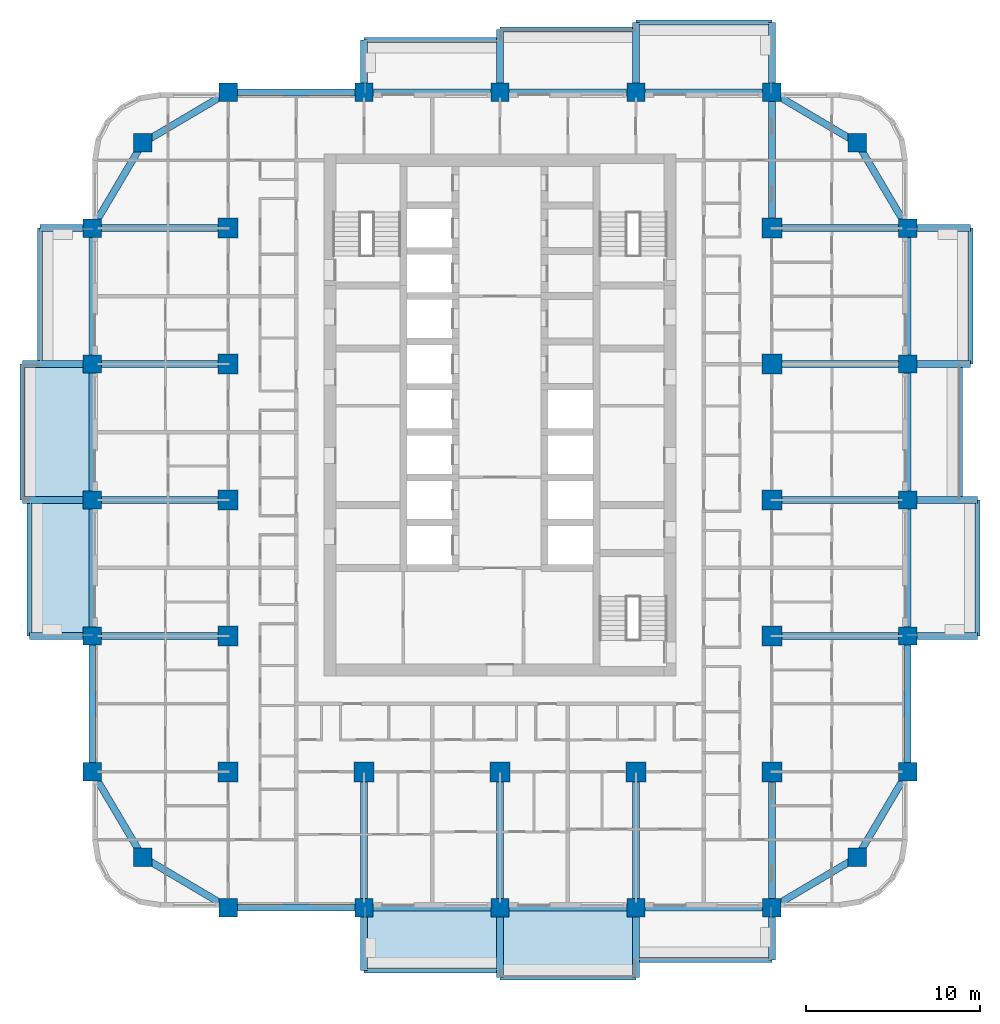
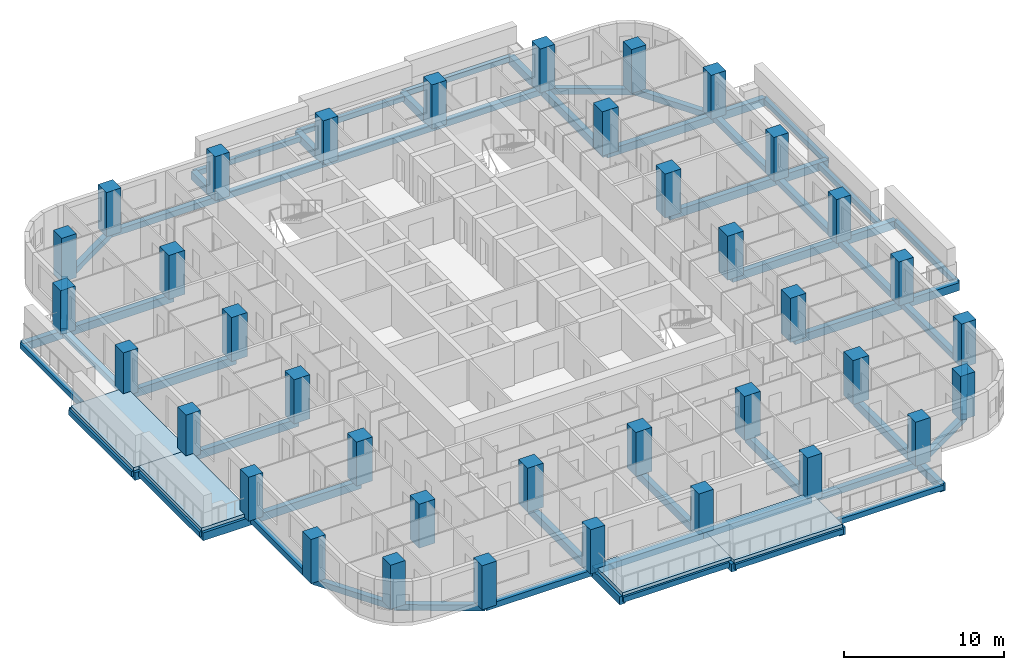
# One storey, part 1 of 17: 65 beams, 37 columns, 4 slabs.
"""IFC4 building model written with IfcOpenShell, lengths in metres."""

from ifc_helpers import new_model, si_unit, direction, frame, origin, origin_2d, place, context, subcontext, project, spatial, polyline, rectangle, outline, extrude, material, layer, layer_set, material_profile, profile_set, type_object, element, save


model = new_model("IFC4")

# Units and contexts
model_context = context("Model", 3, precision=1e-05, world=origin(), true_north=direction((0.0, 1.0)))
body_context = subcontext(model_context, "Body", "Model", "MODEL_VIEW")
ifc_project = project(units=[si_unit("LENGTHUNIT", "METRE"), si_unit("AREAUNIT", "SQUARE_METRE"), si_unit("VOLUMEUNIT", "CUBIC_METRE"), si_unit("PLANEANGLEUNIT", "RADIAN"), si_unit("MASSUNIT", "GRAM", prefix="KILO")], contexts=[model_context])

# Site, building, storey
site_placement = place(None, origin())
site = spatial("IfcSite", under=ifc_project, at=site_placement, CompositionType="ELEMENT")
building_placement = place(site_placement, origin())
building = spatial("IfcBuilding", under=site, at=building_placement, Name="Ludao Terraces", CompositionType="ELEMENT")
storey_placement = place(building_placement, frame((0.0, 0.0, 43.300048828125)))
storey = spatial("IfcBuildingStorey", under=building, at=storey_placement, Name="L11", CompositionType="ELEMENT", Elevation=43.300048828125)

# Columns
ifc_material_1 = material(Name="Concrete C60", Category="concrete")
ifc_material_profile_1 = material_profile(ifc_material_1, rectangle(XDim=1.050048828125, YDim=1.050048828125, at=origin_2d()), Name="1050 X 1050")
ifc_profile_set_1 = profile_set([ifc_material_profile_1], Name="Concrete C60")
column_type_1 = type_object("IfcColumnType", Name="RC column 1050x1050 C60", PredefinedType="COLUMN", material=ifc_profile_set_1)
for number, where, z_axis, x_axis, name in (
    (1, (64.5, 44.5, -0.25), (0.0, 0.0, 1.0), (1.0, 0.0, 0.0), "Column L11 C0029x0029"),
    (2, (105.5, 44.5, -0.25), (0.0, 0.0, 1.0), (1.0, 0.0, 0.0), "Column L11 C0439x0029"),
    (3, (64.5, 85.5, -0.25), (0.0, 0.0, 1.0), (1.0, 0.0, 0.0), "Column L11 C0029x0439"),
    (4, (105.5, 85.5, -0.25), (0.0, 0.0, 1.0), (1.0, 0.0, 0.0), "Column L11 C0439x0439"),
    (5, (61.60009765625, 49.39990234375, -0.25), (0.0, 0.0, 1.0), (1.0, 0.0, 0.0), "Column L11 F0000x0078"),
    (6, (108.39990234375, 49.39990234375, -0.25), (0.0, 0.0, 1.0), (1.0, 0.0, 0.0), "Column L11 F0468x0078"),
    (7, (69.39990234375, 41.60009765625, -0.25), (0.0, 0.0, 1.0), (1.0, 0.0, 0.0), "Column L11 F0078x0000"),
    (8, (69.39990234375, 88.39990234375, -0.25), (0.0, 0.0, 1.0), (1.0, 0.0, 0.0), "Column L11 F0078x0468"),
    (9, (61.60009765625, 57.199951171875, -0.25), (0.0, 0.0, 1.0), (1.0, 0.0, 0.0), "Column L11 F0000x0156"),
    (10, (108.39990234375, 57.199951171875, -0.25), (0.0, 0.0, 1.0), (1.0, 0.0, 0.0), "Column L11 F0468x0156"),
    (11, (77.199951171875, 41.60009765625, -0.25), (0.0, 0.0, 1.0), (1.0, 0.0, 0.0), "Column L11 F0156x0000"),
    (12, (77.199951171875, 88.39990234375, -0.25), (0.0, 0.0, 1.0), (1.0, 0.0, 0.0), "Column L11 F0156x0468"),
    (13, (61.60009765625, 65.0, -0.25), (0.0, 0.0, 1.0), (1.0, 0.0, 0.0), "Column L11 F0000x0234"),
    (14, (108.39990234375, 65.0, -0.25), (0.0, 0.0, 1.0), (1.0, 0.0, 0.0), "Column L11 F0468x0234"),
    (15, (85.0, 41.60009765625, -0.25), (0.0, 0.0, 1.0), (1.0, 0.0, 0.0), "Column L11 F0234x0000"),
    (16, (85.0, 88.39990234375, -0.25), (0.0, 0.0, 1.0), (1.0, 0.0, 0.0), "Column L11 F0234x0468"),
    (17, (61.60009765625, 72.800048828125, -0.25), (0.0, 0.0, 1.0), (1.0, 0.0, 0.0), "Column L11 F0000x0312"),
    (18, (108.39990234375, 72.800048828125, -0.25), (0.0, 0.0, 1.0), (1.0, 0.0, 0.0), "Column L11 F0468x0312"),
    (19, (92.800048828125, 41.60009765625, -0.25), (0.0, 0.0, 1.0), (1.0, 0.0, 0.0), "Column L11 F0312x0000"),
    (20, (92.800048828125, 88.39990234375, -0.25), (0.0, 0.0, 1.0), (1.0, 0.0, 0.0), "Column L11 F0312x0468"),
    (21, (61.60009765625, 80.60009765625, -0.25), (0.0, 0.0, 1.0), (1.0, 0.0, 0.0), "Column L11 F0000x0390"),
    (22, (108.39990234375, 80.60009765625, -0.25), (0.0, 0.0, 1.0), (1.0, 0.0, 0.0), "Column L11 F0468x0390"),
    (23, (100.60009765625, 41.60009765625, -0.25), (0.0, 0.0, 1.0), (1.0, 0.0, 0.0), "Column L11 F0390x0000"),
    (24, (100.60009765625, 88.39990234375, -0.25), (0.0, 0.0, 1.0), (1.0, 0.0, 0.0), "Column L11 F0390x0468"),
):
    element("IfcColumn", number, at=place(storey_placement, frame(where, z_axis=z_axis, x_axis=x_axis)), inside=storey, type_object=column_type_1, Name=name, PredefinedType="COLUMN", context=body_context, shape_type="SweptSolid", body=[
        extrude(rectangle(XDim=1.050048828125, YDim=1.050048828125, at=origin_2d()), origin(), (0.0, 0.0, 1.0), 3.349853515625),
    ])
ifc_material_profile_2 = material_profile(ifc_material_1, rectangle(XDim=1.14990234375, YDim=1.14990234375, at=origin_2d()), Name="1150 X 1150")
ifc_profile_set_2 = profile_set([ifc_material_profile_2], Name="Concrete C60")
column_type_2 = type_object("IfcColumnType", Name="RC column 1150x1150 C60", PredefinedType="COLUMN", material=ifc_profile_set_2)
for number, where, z_axis, x_axis, name in (
    (25, (69.39990234375, 49.39990234375, -0.25), (0.0, 0.0, 1.0), (1.0, 0.0, 0.0), "Column L11 S0078x0078"),
    (26, (69.39990234375, 57.199951171875, -0.25), (0.0, 0.0, 1.0), (1.0, 0.0, 0.0), "Column L11 S0078x0156"),
    (27, (69.39990234375, 65.0, -0.25), (0.0, 0.0, 1.0), (1.0, 0.0, 0.0), "Column L11 S0078x0234"),
    (28, (69.39990234375, 72.800048828125, -0.25), (0.0, 0.0, 1.0), (1.0, 0.0, 0.0), "Column L11 S0078x0312"),
    (29, (69.39990234375, 80.60009765625, -0.25), (0.0, 0.0, 1.0), (1.0, 0.0, 0.0), "Column L11 S0078x0390"),
    (30, (77.199951171875, 49.39990234375, -0.25), (0.0, 0.0, 1.0), (1.0, 0.0, 0.0), "Column L11 S0156x0078"),
    (31, (85.0, 49.39990234375, -0.25), (0.0, 0.0, 1.0), (1.0, 0.0, 0.0), "Column L11 S0234x0078"),
    (32, (92.800048828125, 49.39990234375, -0.25), (0.0, 0.0, 1.0), (1.0, 0.0, 0.0), "Column L11 S0312x0078"),
    (33, (100.60009765625, 49.39990234375, -0.25), (0.0, 0.0, 1.0), (1.0, 0.0, 0.0), "Column L11 S0390x0078"),
    (34, (100.60009765625, 57.199951171875, -0.25), (0.0, 0.0, 1.0), (1.0, 0.0, 0.0), "Column L11 S0390x0156"),
    (35, (100.60009765625, 65.0, -0.25), (0.0, 0.0, 1.0), (1.0, 0.0, 0.0), "Column L11 S0390x0234"),
    (36, (100.60009765625, 72.800048828125, -0.25), (0.0, 0.0, 1.0), (1.0, 0.0, 0.0), "Column L11 S0390x0312"),
    (37, (100.60009765625, 80.60009765625, -0.25), (0.0, 0.0, 1.0), (1.0, 0.0, 0.0), "Column L11 S0390x0390"),
):
    element("IfcColumn", number, at=place(storey_placement, frame(where, z_axis=z_axis, x_axis=x_axis)), inside=storey, type_object=column_type_2, Name=name, PredefinedType="COLUMN", context=body_context, shape_type="SweptSolid", body=[
        extrude(rectangle(XDim=1.14990234375, YDim=1.14990234375, at=origin_2d()), origin(), (0.0, 0.0, 1.0), 3.349853515625),
    ])

# Beams
ifc_material_2 = material(Name="Concrete C40", Category="concrete")
ifc_material_profile_3 = material_profile(ifc_material_2, rectangle(XDim=0.300048828125, YDim=0.39990234375, at=origin_2d()), Name="300 X 400")
ifc_profile_set_3 = profile_set([ifc_material_profile_3], Name="Concrete C40")
beam_type_1 = type_object("IfcBeamType", Name="RC beam 300x400 C40", PredefinedType="BEAM", material=ifc_profile_set_3)
for number, where, z_axis, x_axis, name in (
    (38, (77.199951171875, 38.0, -0.449951171875), (1.0, 0.0, 0.0), (0.0, 1.0, 0.0), "Balcony edge beam L11 S2"),
    (39, (85.0, 37.60009765625, -0.449951171875), (1.0, 0.0, 0.0), (0.0, 1.0, 0.0), "Balcony edge beam L11 S3"),
    (40, (92.800048828125, 38.60009765625, -0.449951171875), (1.0, 0.0, 0.0), (0.0, 1.0, 0.0), "Balcony edge beam L11 S4"),
    (41, (112.39990234375, 57.199951171875, -0.449951171875), (0.0, 1.0, 0.0), (-1.0, 0.0, 0.0), "Balcony edge beam L11 E2"),
    (42, (111.39990234375, 65.0, -0.449951171875), (0.0, 1.0, 0.0), (-1.0, 0.0, 0.0), "Balcony edge beam L11 E3"),
    (43, (112.0, 72.800048828125, -0.449951171875), (0.0, 1.0, 0.0), (-1.0, 0.0, 0.0), "Balcony edge beam L11 E4"),
    (44, (77.199951171875, 91.39990234375, -0.449951171875), (1.0, 0.0, 0.0), (0.0, 1.0, 0.0), "Balcony edge beam L11 N2"),
    (45, (85.0, 92.0, -0.449951171875), (1.0, 0.0, 0.0), (0.0, 1.0, 0.0), "Balcony edge beam L11 N3"),
    (46, (92.800048828125, 92.39990234375, -0.449951171875), (1.0, 0.0, 0.0), (0.0, 1.0, 0.0), "Balcony edge beam L11 N4"),
    (47, (58.0, 57.199951171875, -0.449951171875), (0.0, 1.0, 0.0), (-1.0, 0.0, 0.0), "Balcony edge beam L11 W2"),
    (48, (57.60009765625, 65.0, -0.449951171875), (0.0, 1.0, 0.0), (-1.0, 0.0, 0.0), "Balcony edge beam L11 W3"),
    (49, (58.60009765625, 72.800048828125, -0.449951171875), (0.0, 1.0, 0.0), (-1.0, 0.0, 0.0), "Balcony edge beam L11 W4"),
):
    element("IfcBeam", number, at=place(storey_placement, frame(where, z_axis=z_axis, x_axis=x_axis)), inside=storey, type_object=beam_type_1, Name=name, PredefinedType="BEAM", context=body_context, shape_type="SweptSolid", body=[
        extrude(rectangle(XDim=0.300048828125, YDim=0.39990234375, at=origin_2d()), origin(), (0.0, 0.0, 1.0), 7.800048828125),
    ])
ifc_material_profile_4 = material_profile(ifc_material_2, rectangle(XDim=0.39990234375, YDim=0.449951171875, at=origin_2d()), Name="400 X 450")
ifc_profile_set_4 = profile_set([ifc_material_profile_4], Name="Concrete C40")
beam_type_2 = type_object("IfcBeamType", Name="RC beam 400x450 C40", PredefinedType="BEAM", material=ifc_profile_set_4)
beam_1_placement = place(storey_placement, frame((64.5, 44.5, -0.47509765625), z_axis=(0.860579751256, -0.509315709288, 0.0), x_axis=(0.509315709288, 0.860579751256, 0.0)))
element("IfcBeam", 50, at=beam_1_placement, inside=storey, type_object=beam_type_2, Name="Spandrel beam L11 S1", PredefinedType="BEAM", context=body_context, shape_type="SweptSolid", body=[
    extrude(rectangle(XDim=0.39990234375, YDim=0.449951171875, at=origin_2d()), origin(), (0.0, 0.0, 1.0), 5.693603515625),
])
for number, where, z_axis, x_axis, name in (
    (51, (69.39990234375, 41.60009765625, -0.47509765625), (1.0, 0.0, 0.0), (0.0, 1.0, 0.0), "Spandrel beam L11 S2"),
    (52, (77.199951171875, 41.60009765625, -0.47509765625), (1.0, 0.0, 0.0), (0.0, 1.0, 0.0), "Spandrel beam L11 S3"),
    (53, (85.0, 41.60009765625, -0.47509765625), (1.0, 0.0, 0.0), (0.0, 1.0, 0.0), "Spandrel beam L11 S4"),
    (54, (92.800048828125, 41.60009765625, -0.47509765625), (1.0, 0.0, 0.0), (0.0, 1.0, 0.0), "Spandrel beam L11 S5"),
):
    element("IfcBeam", number, at=place(storey_placement, frame(where, z_axis=z_axis, x_axis=x_axis)), inside=storey, type_object=beam_type_2, Name=name, PredefinedType="BEAM", context=body_context, shape_type="SweptSolid", body=[
        extrude(rectangle(XDim=0.39990234375, YDim=0.449951171875, at=origin_2d()), origin(), (0.0, 0.0, 1.0), 7.800048828125),
    ])
for number, where, z_axis, x_axis, name in (
    (55, (100.60009765625, 41.60009765625, -0.47509765625), (0.860579751256, 0.509315709288, 0.0), (-0.509315709288, 0.860579751256, 0.0), "Spandrel beam L11 S6"),
    (56, (64.5, 85.5, -0.47509765625), (0.860579751256, 0.509315709288, 0.0), (-0.509315709288, 0.860579751256, 0.0), "Spandrel beam L11 N7"),
):
    element("IfcBeam", number, at=place(storey_placement, frame(where, z_axis=z_axis, x_axis=x_axis)), inside=storey, type_object=beam_type_2, Name=name, PredefinedType="BEAM", context=body_context, shape_type="SweptSolid", body=[
        extrude(rectangle(XDim=0.39990234375, YDim=0.449951171875, at=origin_2d()), origin(), (0.0, 0.0, 1.0), 5.693603515625),
    ])
for number, where, z_axis, x_axis, name in (
    (57, (69.39990234375, 88.39990234375, -0.47509765625), (1.0, 0.0, 0.0), (0.0, 1.0, 0.0), "Spandrel beam L11 N8"),
    (58, (77.199951171875, 88.39990234375, -0.47509765625), (1.0, 0.0, 0.0), (0.0, 1.0, 0.0), "Spandrel beam L11 N9"),
    (59, (85.0, 88.39990234375, -0.47509765625), (1.0, 0.0, 0.0), (0.0, 1.0, 0.0), "Spandrel beam L11 N10"),
    (60, (92.800048828125, 88.39990234375, -0.47509765625), (1.0, 0.0, 0.0), (0.0, 1.0, 0.0), "Spandrel beam L11 N11"),
):
    element("IfcBeam", number, at=place(storey_placement, frame(where, z_axis=z_axis, x_axis=x_axis)), inside=storey, type_object=beam_type_2, Name=name, PredefinedType="BEAM", context=body_context, shape_type="SweptSolid", body=[
        extrude(rectangle(XDim=0.39990234375, YDim=0.449951171875, at=origin_2d()), origin(), (0.0, 0.0, 1.0), 7.800048828125),
    ])
for number, where, z_axis, x_axis, name in (
    (61, (100.60009765625, 88.39990234375, -0.47509765625), (0.860579751256, -0.509315709288, 0.0), (0.509315709288, 0.860579751256, 0.0), "Spandrel beam L11 N12"),
    (62, (64.5, 44.5, -0.47509765625), (-0.509315709288, 0.860579751256, 0.0), (-0.860579751256, -0.509315709288, 0.0), "Spandrel beam L11 W13"),
):
    element("IfcBeam", number, at=place(storey_placement, frame(where, z_axis=z_axis, x_axis=x_axis)), inside=storey, type_object=beam_type_2, Name=name, PredefinedType="BEAM", context=body_context, shape_type="SweptSolid", body=[
        extrude(rectangle(XDim=0.39990234375, YDim=0.449951171875, at=origin_2d()), origin(), (0.0, 0.0, 1.0), 5.693603515625),
    ])
for number, where, z_axis, x_axis, name in (
    (63, (61.60009765625, 49.39990234375, -0.47509765625), (0.0, 1.0, 0.0), (-1.0, 0.0, 0.0), "Spandrel beam L11 W14"),
    (64, (61.60009765625, 57.199951171875, -0.47509765625), (0.0, 1.0, 0.0), (-1.0, 0.0, 0.0), "Spandrel beam L11 W15"),
    (65, (61.60009765625, 65.0, -0.47509765625), (0.0, 1.0, 0.0), (-1.0, 0.0, 0.0), "Spandrel beam L11 W16"),
    (66, (61.60009765625, 72.800048828125, -0.47509765625), (0.0, 1.0, 0.0), (-1.0, 0.0, 0.0), "Spandrel beam L11 W17"),
):
    element("IfcBeam", number, at=place(storey_placement, frame(where, z_axis=z_axis, x_axis=x_axis)), inside=storey, type_object=beam_type_2, Name=name, PredefinedType="BEAM", context=body_context, shape_type="SweptSolid", body=[
        extrude(rectangle(XDim=0.39990234375, YDim=0.449951171875, at=origin_2d()), origin(), (0.0, 0.0, 1.0), 7.800048828125),
    ])
for number, where, z_axis, x_axis, name in (
    (67, (61.60009765625, 80.60009765625, -0.47509765625), (0.509315709288, 0.860579751256, 0.0), (-0.860579751256, 0.509315709288, 0.0), "Spandrel beam L11 W18"),
    (68, (105.5, 44.5, -0.47509765625), (0.509315709288, 0.860579751256, 0.0), (-0.860579751256, 0.509315709288, 0.0), "Spandrel beam L11 E19"),
):
    element("IfcBeam", number, at=place(storey_placement, frame(where, z_axis=z_axis, x_axis=x_axis)), inside=storey, type_object=beam_type_2, Name=name, PredefinedType="BEAM", context=body_context, shape_type="SweptSolid", body=[
        extrude(rectangle(XDim=0.39990234375, YDim=0.449951171875, at=origin_2d()), origin(), (0.0, 0.0, 1.0), 5.693603515625),
    ])
for number, where, z_axis, x_axis, name in (
    (69, (108.39990234375, 49.39990234375, -0.47509765625), (0.0, 1.0, 0.0), (-1.0, 0.0, 0.0), "Spandrel beam L11 E20"),
    (70, (108.39990234375, 57.199951171875, -0.47509765625), (0.0, 1.0, 0.0), (-1.0, 0.0, 0.0), "Spandrel beam L11 E21"),
    (71, (108.39990234375, 65.0, -0.47509765625), (0.0, 1.0, 0.0), (-1.0, 0.0, 0.0), "Spandrel beam L11 E22"),
    (72, (108.39990234375, 72.800048828125, -0.47509765625), (0.0, 1.0, 0.0), (-1.0, 0.0, 0.0), "Spandrel beam L11 E23"),
):
    element("IfcBeam", number, at=place(storey_placement, frame(where, z_axis=z_axis, x_axis=x_axis)), inside=storey, type_object=beam_type_2, Name=name, PredefinedType="BEAM", context=body_context, shape_type="SweptSolid", body=[
        extrude(rectangle(XDim=0.39990234375, YDim=0.449951171875, at=origin_2d()), origin(), (0.0, 0.0, 1.0), 7.800048828125),
    ])
beam_2_placement = place(storey_placement, frame((108.39990234375, 80.60009765625, -0.47509765625), z_axis=(-0.509315709288, 0.860579751256, 0.0), x_axis=(-0.860579751256, -0.509315709288, 0.0)))
element("IfcBeam", 73, at=beam_2_placement, inside=storey, type_object=beam_type_2, Name="Spandrel beam L11 E24", PredefinedType="BEAM", context=body_context, shape_type="SweptSolid", body=[
    extrude(rectangle(XDim=0.39990234375, YDim=0.449951171875, at=origin_2d()), origin(), (0.0, 0.0, 1.0), 5.693603515625),
])
ifc_material_profile_5 = material_profile(ifc_material_2, rectangle(XDim=0.39990234375, YDim=0.60009765625, at=origin_2d()), Name="400 X 600")
ifc_profile_set_5 = profile_set([ifc_material_profile_5], Name="Concrete C40")
beam_type_3 = type_object("IfcBeamType", Name="RC beam 400x600 C40", PredefinedType="BEAM", material=ifc_profile_set_5)
beam_3_placement = place(storey_placement, frame((100.60009765625, 57.199951171875, -0.550048828125), z_axis=(1.0, 0.0, 0.0), x_axis=(0.0, 1.0, 0.0)))
element("IfcBeam", 74, at=beam_3_placement, inside=storey, type_object=beam_type_3, Name="Balcony beam L11 E572", PredefinedType="BEAM", context=body_context, shape_type="SweptSolid", body=[
    extrude(rectangle(XDim=0.39990234375, YDim=0.60009765625, at=origin_2d()), origin(), (0.0, 0.0, 1.0), 7.7998046875),
])
beam_4_placement = place(storey_placement, frame((108.39990234375, 57.199951171875, -0.550048828125), z_axis=(1.0, 0.0, 0.0), x_axis=(0.0, 1.0, 0.0)))
element("IfcBeam", 75, at=beam_4_placement, inside=storey, type_object=beam_type_3, Name="Balcony beam L11 E572", PredefinedType="BEAM", context=body_context, shape_type="SweptSolid", body=[
    extrude(rectangle(XDim=0.39990234375, YDim=0.60009765625, at=origin_2d()), origin(), (0.0, 0.0, 1.0), 4.0),
])
beam_5_placement = place(storey_placement, frame((100.60009765625, 65.0, -0.550048828125), z_axis=(1.0, 0.0, 0.0), x_axis=(0.0, 1.0, 0.0)))
element("IfcBeam", 76, at=beam_5_placement, inside=storey, type_object=beam_type_3, Name="Balcony beam L11 E650", PredefinedType="BEAM", context=body_context, shape_type="SweptSolid", body=[
    extrude(rectangle(XDim=0.39990234375, YDim=0.60009765625, at=origin_2d()), origin(), (0.0, 0.0, 1.0), 7.7998046875),
])
beam_6_placement = place(storey_placement, frame((108.39990234375, 65.0, -0.550048828125), z_axis=(1.0, 0.0, 0.0), x_axis=(0.0, 1.0, 0.0)))
element("IfcBeam", 77, at=beam_6_placement, inside=storey, type_object=beam_type_3, Name="Balcony beam L11 E650", PredefinedType="BEAM", context=body_context, shape_type="SweptSolid", body=[
    extrude(rectangle(XDim=0.39990234375, YDim=0.60009765625, at=origin_2d()), origin(), (0.0, 0.0, 1.0), 4.0),
])
beam_7_placement = place(storey_placement, frame((100.60009765625, 72.800048828125, -0.550048828125), z_axis=(1.0, 0.0, 0.0), x_axis=(0.0, 1.0, 0.0)))
element("IfcBeam", 78, at=beam_7_placement, inside=storey, type_object=beam_type_3, Name="Balcony beam L11 E728", PredefinedType="BEAM", context=body_context, shape_type="SweptSolid", body=[
    extrude(rectangle(XDim=0.39990234375, YDim=0.60009765625, at=origin_2d()), origin(), (0.0, 0.0, 1.0), 7.7998046875),
])
beam_8_placement = place(storey_placement, frame((108.39990234375, 72.800048828125, -0.550048828125), z_axis=(1.0, 0.0, 0.0), x_axis=(0.0, 1.0, 0.0)))
element("IfcBeam", 79, at=beam_8_placement, inside=storey, type_object=beam_type_3, Name="Balcony beam L11 E728", PredefinedType="BEAM", context=body_context, shape_type="SweptSolid", body=[
    extrude(rectangle(XDim=0.39990234375, YDim=0.60009765625, at=origin_2d()), origin(), (0.0, 0.0, 1.0), 3.60009765625),
])
beam_9_placement = place(storey_placement, frame((100.60009765625, 80.60009765625, -0.550048828125), z_axis=(1.0, 0.0, 0.0), x_axis=(0.0, 1.0, 0.0)))
element("IfcBeam", 80, at=beam_9_placement, inside=storey, type_object=beam_type_3, Name="Balcony beam L11 E806", PredefinedType="BEAM", context=body_context, shape_type="SweptSolid", body=[
    extrude(rectangle(XDim=0.39990234375, YDim=0.60009765625, at=origin_2d()), origin(), (0.0, 0.0, 1.0), 7.7998046875),
])
beam_10_placement = place(storey_placement, frame((108.39990234375, 80.60009765625, -0.550048828125), z_axis=(1.0, 0.0, 0.0), x_axis=(0.0, 1.0, 0.0)))
element("IfcBeam", 81, at=beam_10_placement, inside=storey, type_object=beam_type_3, Name="Balcony beam L11 E806", PredefinedType="BEAM", context=body_context, shape_type="SweptSolid", body=[
    extrude(rectangle(XDim=0.39990234375, YDim=0.60009765625, at=origin_2d()), origin(), (0.0, 0.0, 1.0), 3.60009765625),
])
beam_11_placement = place(storey_placement, frame((100.60009765625, 80.60009765625, -0.550048828125), z_axis=(0.0, 1.0, 0.0), x_axis=(-1.0, 0.0, 0.0)))
element("IfcBeam", 82, at=beam_11_placement, inside=storey, type_object=beam_type_3, Name="Balcony beam L11 N1006", PredefinedType="BEAM", context=body_context, shape_type="SweptSolid", body=[
    extrude(rectangle(XDim=0.39990234375, YDim=0.60009765625, at=origin_2d()), origin(), (0.0, 0.0, 1.0), 7.7998046875),
])
beam_12_placement = place(storey_placement, frame((100.60009765625, 88.39990234375, -0.550048828125), z_axis=(0.0, 1.0, 0.0), x_axis=(-1.0, 0.0, 0.0)))
element("IfcBeam", 83, at=beam_12_placement, inside=storey, type_object=beam_type_3, Name="Balcony beam L11 N1006", PredefinedType="BEAM", context=body_context, shape_type="SweptSolid", body=[
    extrude(rectangle(XDim=0.39990234375, YDim=0.60009765625, at=origin_2d()), origin(), (0.0, 0.0, 1.0), 4.0),
])
beam_13_placement = place(storey_placement, frame((77.199951171875, 88.39990234375, -0.550048828125), z_axis=(0.0, 1.0, 0.0), x_axis=(-1.0, 0.0, 0.0)))
element("IfcBeam", 84, at=beam_13_placement, inside=storey, type_object=beam_type_3, Name="Balcony beam L11 N772", PredefinedType="BEAM", context=body_context, shape_type="SweptSolid", body=[
    extrude(rectangle(XDim=0.39990234375, YDim=0.60009765625, at=origin_2d()), origin(), (0.0, 0.0, 1.0), 3.0),
])
beam_14_placement = place(storey_placement, frame((85.0, 88.39990234375, -0.550048828125), z_axis=(0.0, 1.0, 0.0), x_axis=(-1.0, 0.0, 0.0)))
element("IfcBeam", 85, at=beam_14_placement, inside=storey, type_object=beam_type_3, Name="Balcony beam L11 N850", PredefinedType="BEAM", context=body_context, shape_type="SweptSolid", body=[
    extrude(rectangle(XDim=0.39990234375, YDim=0.60009765625, at=origin_2d()), origin(), (0.0, 0.0, 1.0), 3.60009765625),
])
beam_15_placement = place(storey_placement, frame((92.800048828125, 88.39990234375, -0.550048828125), z_axis=(0.0, 1.0, 0.0), x_axis=(-1.0, 0.0, 0.0)))
element("IfcBeam", 86, at=beam_15_placement, inside=storey, type_object=beam_type_3, Name="Balcony beam L11 N928", PredefinedType="BEAM", context=body_context, shape_type="SweptSolid", body=[
    extrude(rectangle(XDim=0.39990234375, YDim=0.60009765625, at=origin_2d()), origin(), (0.0, 0.0, 1.0), 4.0),
])
beam_16_placement = place(storey_placement, frame((100.60009765625, 49.39990234375, -0.550048828125), z_axis=(0.0, -1.0, 0.0), x_axis=(1.0, 0.0, 0.0)))
element("IfcBeam", 87, at=beam_16_placement, inside=storey, type_object=beam_type_3, Name="Balcony beam L11 S1006", PredefinedType="BEAM", context=body_context, shape_type="SweptSolid", body=[
    extrude(rectangle(XDim=0.39990234375, YDim=0.60009765625, at=origin_2d()), origin(), (0.0, 0.0, 1.0), 7.7998046875),
])
beam_17_placement = place(storey_placement, frame((100.60009765625, 41.60009765625, -0.550048828125), z_axis=(0.0, -1.0, 0.0), x_axis=(1.0, 0.0, 0.0)))
element("IfcBeam", 88, at=beam_17_placement, inside=storey, type_object=beam_type_3, Name="Balcony beam L11 S1006", PredefinedType="BEAM", context=body_context, shape_type="SweptSolid", body=[
    extrude(rectangle(XDim=0.39990234375, YDim=0.60009765625, at=origin_2d()), origin(), (0.0, 0.0, 1.0), 3.0),
])
beam_18_placement = place(storey_placement, frame((77.199951171875, 49.39990234375, -0.550048828125), z_axis=(0.0, -1.0, 0.0), x_axis=(1.0, 0.0, 0.0)))
element("IfcBeam", 89, at=beam_18_placement, inside=storey, type_object=beam_type_3, Name="Balcony beam L11 S772", PredefinedType="BEAM", context=body_context, shape_type="SweptSolid", body=[
    extrude(rectangle(XDim=0.39990234375, YDim=0.60009765625, at=origin_2d()), origin(), (0.0, 0.0, 1.0), 7.7998046875),
])
beam_19_placement = place(storey_placement, frame((77.199951171875, 41.60009765625, -0.550048828125), z_axis=(0.0, -1.0, 0.0), x_axis=(1.0, 0.0, 0.0)))
element("IfcBeam", 90, at=beam_19_placement, inside=storey, type_object=beam_type_3, Name="Balcony beam L11 S772", PredefinedType="BEAM", context=body_context, shape_type="SweptSolid", body=[
    extrude(rectangle(XDim=0.39990234375, YDim=0.60009765625, at=origin_2d()), origin(), (0.0, 0.0, 1.0), 3.60009765625),
])
beam_20_placement = place(storey_placement, frame((85.0, 49.39990234375, -0.550048828125), z_axis=(0.0, -1.0, 0.0), x_axis=(1.0, 0.0, 0.0)))
element("IfcBeam", 91, at=beam_20_placement, inside=storey, type_object=beam_type_3, Name="Balcony beam L11 S850", PredefinedType="BEAM", context=body_context, shape_type="SweptSolid", body=[
    extrude(rectangle(XDim=0.39990234375, YDim=0.60009765625, at=origin_2d()), origin(), (0.0, 0.0, 1.0), 7.7998046875),
])
beam_21_placement = place(storey_placement, frame((85.0, 41.60009765625, -0.550048828125), z_axis=(0.0, -1.0, 0.0), x_axis=(1.0, 0.0, 0.0)))
element("IfcBeam", 92, at=beam_21_placement, inside=storey, type_object=beam_type_3, Name="Balcony beam L11 S850", PredefinedType="BEAM", context=body_context, shape_type="SweptSolid", body=[
    extrude(rectangle(XDim=0.39990234375, YDim=0.60009765625, at=origin_2d()), origin(), (0.0, 0.0, 1.0), 4.0),
])
beam_22_placement = place(storey_placement, frame((92.800048828125, 49.39990234375, -0.550048828125), z_axis=(0.0, -1.0, 0.0), x_axis=(1.0, 0.0, 0.0)))
element("IfcBeam", 93, at=beam_22_placement, inside=storey, type_object=beam_type_3, Name="Balcony beam L11 S928", PredefinedType="BEAM", context=body_context, shape_type="SweptSolid", body=[
    extrude(rectangle(XDim=0.39990234375, YDim=0.60009765625, at=origin_2d()), origin(), (0.0, 0.0, 1.0), 7.7998046875),
])
beam_23_placement = place(storey_placement, frame((92.800048828125, 41.60009765625, -0.550048828125), z_axis=(0.0, -1.0, 0.0), x_axis=(1.0, 0.0, 0.0)))
element("IfcBeam", 94, at=beam_23_placement, inside=storey, type_object=beam_type_3, Name="Balcony beam L11 S928", PredefinedType="BEAM", context=body_context, shape_type="SweptSolid", body=[
    extrude(rectangle(XDim=0.39990234375, YDim=0.60009765625, at=origin_2d()), origin(), (0.0, 0.0, 1.0), 4.0),
])
beam_24_placement = place(storey_placement, frame((69.39990234375, 57.199951171875, -0.550048828125), z_axis=(-1.0, 0.0, 0.0), x_axis=(0.0, -1.0, 0.0)))
element("IfcBeam", 95, at=beam_24_placement, inside=storey, type_object=beam_type_3, Name="Balcony beam L11 W572", PredefinedType="BEAM", context=body_context, shape_type="SweptSolid", body=[
    extrude(rectangle(XDim=0.39990234375, YDim=0.60009765625, at=origin_2d()), origin(), (0.0, 0.0, 1.0), 7.7998046875),
])
beam_25_placement = place(storey_placement, frame((61.60009765625, 57.199951171875, -0.550048828125), z_axis=(-1.0, 0.0, 0.0), x_axis=(0.0, -1.0, 0.0)))
element("IfcBeam", 96, at=beam_25_placement, inside=storey, type_object=beam_type_3, Name="Balcony beam L11 W572", PredefinedType="BEAM", context=body_context, shape_type="SweptSolid", body=[
    extrude(rectangle(XDim=0.39990234375, YDim=0.60009765625, at=origin_2d()), origin(), (0.0, 0.0, 1.0), 3.60009765625),
])
beam_26_placement = place(storey_placement, frame((69.39990234375, 65.0, -0.550048828125), z_axis=(-1.0, 0.0, 0.0), x_axis=(0.0, -1.0, 0.0)))
element("IfcBeam", 97, at=beam_26_placement, inside=storey, type_object=beam_type_3, Name="Balcony beam L11 W650", PredefinedType="BEAM", context=body_context, shape_type="SweptSolid", body=[
    extrude(rectangle(XDim=0.39990234375, YDim=0.60009765625, at=origin_2d()), origin(), (0.0, 0.0, 1.0), 7.7998046875),
])
beam_27_placement = place(storey_placement, frame((61.60009765625, 65.0, -0.550048828125), z_axis=(-1.0, 0.0, 0.0), x_axis=(0.0, -1.0, 0.0)))
element("IfcBeam", 98, at=beam_27_placement, inside=storey, type_object=beam_type_3, Name="Balcony beam L11 W650", PredefinedType="BEAM", context=body_context, shape_type="SweptSolid", body=[
    extrude(rectangle(XDim=0.39990234375, YDim=0.60009765625, at=origin_2d()), origin(), (0.0, 0.0, 1.0), 4.0),
])
beam_28_placement = place(storey_placement, frame((69.39990234375, 72.800048828125, -0.550048828125), z_axis=(-1.0, 0.0, 0.0), x_axis=(0.0, -1.0, 0.0)))
element("IfcBeam", 99, at=beam_28_placement, inside=storey, type_object=beam_type_3, Name="Balcony beam L11 W728", PredefinedType="BEAM", context=body_context, shape_type="SweptSolid", body=[
    extrude(rectangle(XDim=0.39990234375, YDim=0.60009765625, at=origin_2d()), origin(), (0.0, 0.0, 1.0), 7.7998046875),
])
beam_29_placement = place(storey_placement, frame((61.60009765625, 72.800048828125, -0.550048828125), z_axis=(-1.0, 0.0, 0.0), x_axis=(0.0, -1.0, 0.0)))
element("IfcBeam", 100, at=beam_29_placement, inside=storey, type_object=beam_type_3, Name="Balcony beam L11 W728", PredefinedType="BEAM", context=body_context, shape_type="SweptSolid", body=[
    extrude(rectangle(XDim=0.39990234375, YDim=0.60009765625, at=origin_2d()), origin(), (0.0, 0.0, 1.0), 4.0),
])
beam_30_placement = place(storey_placement, frame((69.39990234375, 80.60009765625, -0.550048828125), z_axis=(-1.0, 0.0, 0.0), x_axis=(0.0, -1.0, 0.0)))
element("IfcBeam", 101, at=beam_30_placement, inside=storey, type_object=beam_type_3, Name="Balcony beam L11 W806", PredefinedType="BEAM", context=body_context, shape_type="SweptSolid", body=[
    extrude(rectangle(XDim=0.39990234375, YDim=0.60009765625, at=origin_2d()), origin(), (0.0, 0.0, 1.0), 7.7998046875),
])
beam_31_placement = place(storey_placement, frame((61.60009765625, 80.60009765625, -0.550048828125), z_axis=(-1.0, 0.0, 0.0), x_axis=(0.0, -1.0, 0.0)))
element("IfcBeam", 102, at=beam_31_placement, inside=storey, type_object=beam_type_3, Name="Balcony beam L11 W806", PredefinedType="BEAM", context=body_context, shape_type="SweptSolid", body=[
    extrude(rectangle(XDim=0.39990234375, YDim=0.60009765625, at=origin_2d()), origin(), (0.0, 0.0, 1.0), 3.0),
])

# Slabs
ifc_layer = layer(ifc_material_2, 0.25)
ifc_layer_set = layer_set([ifc_layer], Name="Balcony slab 250 C40")
slab_type = type_object("IfcSlabType", Name="Balcony slab 250 C40", PredefinedType="USERDEFINED", material=ifc_layer_set)
slab_1_placement = place(storey_placement, frame((0.0, 0.0, -0.25)))
element("IfcSlab", 103, at=slab_1_placement, inside=storey, type_object=slab_type, Name="Balcony L11 S2", ObjectType="BALCONY", PredefinedType="USERDEFINED", context=body_context, shape_type="SweptSolid", body=[
    extrude(outline(polyline([(77.199951171875, 38.0), (85.0, 38.0), (85.0, 41.60009765625), (77.199951171875, 41.60009765625), (77.199951171875, 38.0)])), origin(), (0.0, 0.0, 1.0), 0.25),
])
slab_2_placement = place(storey_placement, frame((0.0, 0.0, -0.25)))
element("IfcSlab", 104, at=slab_2_placement, inside=storey, type_object=slab_type, Name="Balcony L11 S3", ObjectType="BALCONY", PredefinedType="USERDEFINED", context=body_context, shape_type="SweptSolid", body=[
    extrude(outline(polyline([(85.0, 37.60009765625), (92.800048828125, 37.60009765625), (92.800048828125, 41.60009765625), (85.0, 41.60009765625), (85.0, 37.60009765625)])), origin(), (0.0, 0.0, 1.0), 0.25),
])
slab_3_placement = place(storey_placement, frame((0.0, 0.0, -0.25)))
element("IfcSlab", 105, at=slab_3_placement, inside=storey, type_object=slab_type, Name="Balcony L11 W2", ObjectType="BALCONY", PredefinedType="USERDEFINED", context=body_context, shape_type="SweptSolid", body=[
    extrude(outline(polyline([(58.0, 57.199951171875), (61.60009765625, 57.199951171875), (61.60009765625, 65.0), (58.0, 65.0), (58.0, 57.199951171875)])), origin(), (0.0, 0.0, 1.0), 0.25),
])
slab_4_placement = place(storey_placement, frame((0.0, 0.0, -0.25)))
element("IfcSlab", 106, at=slab_4_placement, inside=storey, type_object=slab_type, Name="Balcony L11 W3", ObjectType="BALCONY", PredefinedType="USERDEFINED", context=body_context, shape_type="SweptSolid", body=[
    extrude(outline(polyline([(57.60009765625, 65.0), (61.60009765625, 65.0), (61.60009765625, 72.800048828125), (57.60009765625, 72.800048828125), (57.60009765625, 65.0)])), origin(), (0.0, 0.0, 1.0), 0.25),
])

save(model, "model.ifc")
